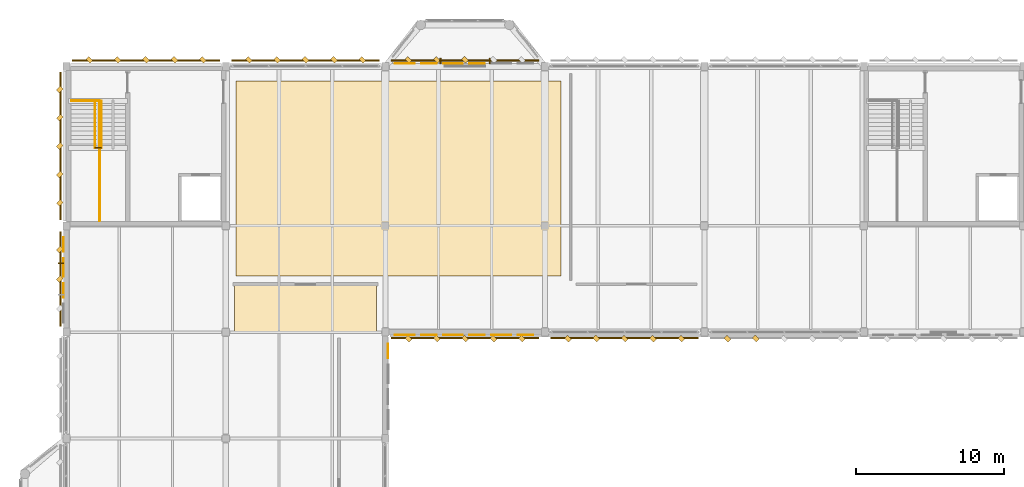
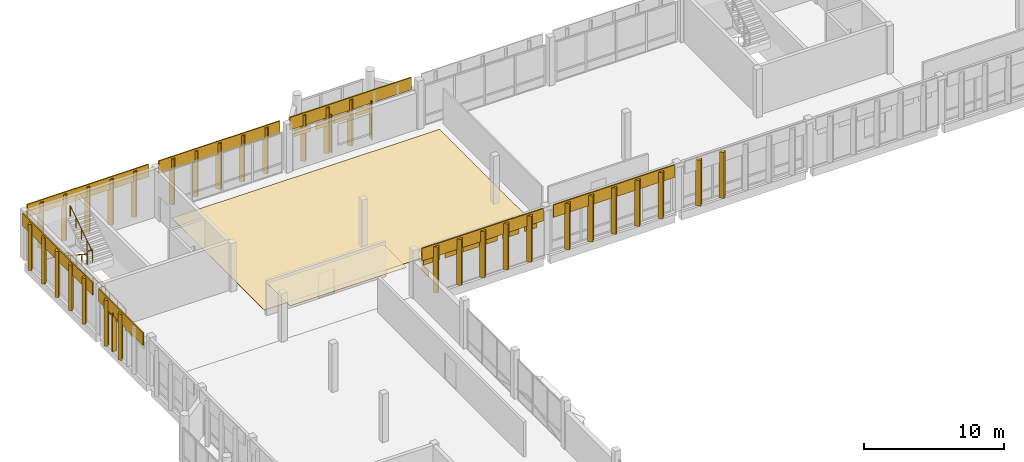
# One storey, part 66 of 72: 58 coverings, 4 railings.
"""IFC4 building model written with IfcOpenShell, lengths in metres."""

from ifc_helpers import new_model, si_unit, direction, frame, origin, origin_2d, place, context, subcontext, project, spatial, polyline, rectangle, circle, outline, extrude, material, layer, layer_set, type_object, element, save


model = new_model("IFC4")

# Units and contexts
model_context = context("Model", 3, precision=1e-05, world=origin(), true_north=direction((0.0, 1.0)))
body_context = subcontext(model_context, "Body", "Model", "MODEL_VIEW")
ifc_project = project(units=[si_unit("LENGTHUNIT", "METRE"), si_unit("AREAUNIT", "SQUARE_METRE"), si_unit("VOLUMEUNIT", "CUBIC_METRE"), si_unit("PLANEANGLEUNIT", "RADIAN"), si_unit("MASSUNIT", "GRAM", prefix="KILO")], contexts=[model_context])

# Site, building, storey
site_placement = place(None, origin())
site = spatial("IfcSite", under=ifc_project, at=site_placement, CompositionType="ELEMENT")
building_placement = place(site_placement, origin())
building = spatial("IfcBuilding", under=site, at=building_placement, Name="Lusvemor Sports Hall", CompositionType="ELEMENT")
storey_placement = place(building_placement, frame((0.0, 0.0, 15.0)))
storey = spatial("IfcBuildingStorey", under=building, at=storey_placement, Name="L03", CompositionType="ELEMENT", Elevation=15.0)

# Coverings
ifc_material_1 = material(Name="Emerald polychrome glazed ceramic cladding on Concrete C40/50 backing", Category="concrete")
ifc_layer_1 = layer(ifc_material_1, 0.0458984375)
ifc_layer_set_1 = layer_set([ifc_layer_1], Name="Emerald polychrome glazed ceramic cladding on Concrete C40/50 backing")
covering_type_1 = type_object("IfcCoveringType", Name="CLAD_WAVE_EMERALD", PredefinedType="CLADDING", material=ifc_layer_set_1)
covering_1_placement = place(storey_placement, frame((-0.197998046875, 101.574951171875, 2.69482421875), z_axis=(0.0, 0.0, 1.0), x_axis=(1.0, 0.0, 0.0)))
element("IfcCovering", 1, at=covering_1_placement, inside=storey, type_object=covering_type_1, Name="Art Nouveau Patterned Cladding PS-EW-L03-W-0-6-3", PredefinedType="CLADDING", context=body_context, shape_type="SweptSolid", body=[
    extrude(rectangle(XDim=0.0458984375, YDim=1.27099609375, at=origin_2d()), origin(), (0.0, 0.0, 1.0), 0.510009765625),
])
for number, where, z_axis, x_axis, name in (
    (2, (22.916748046875, 115.39794921875, 2.60498046875), (0.0, 0.0, 1.0), (1.0, 0.0, 0.0), "Art Nouveau Patterned Cladding PS-EW-L03-N-1-2-1"),
    (3, (26.183349609375, 115.39794921875, 2.60498046875), (0.0, 0.0, 1.0), (1.0, 0.0, 0.0), "Art Nouveau Patterned Cladding PS-EW-L03-N-1-2-3"),
    (4, (22.916748046875, 97.001953125, 2.60498046875), (0.0, 0.0, 1.0), (1.0, 0.0, 0.0), "Art Nouveau Patterned Cladding PS-EW-L03-S-3-0-1"),
    (5, (26.183349609375, 97.001953125, 2.60498046875), (0.0, 0.0, 1.0), (1.0, 0.0, 0.0), "Art Nouveau Patterned Cladding PS-EW-L03-S-3-0-3"),
    (6, (29.449951171875, 97.001953125, 2.60498046875), (0.0, 0.0, 1.0), (1.0, 0.0, 0.0), "Art Nouveau Patterned Cladding PS-EW-L03-S-3-0-5"),
):
    element("IfcCovering", number, at=place(storey_placement, frame(where, z_axis=z_axis, x_axis=x_axis)), inside=storey, type_object=covering_type_1, Name=name, PredefinedType="CLADDING", context=body_context, shape_type="SweptSolid", body=[
        extrude(rectangle(XDim=1.33935546875, YDim=0.0458984375, at=origin_2d()), origin(), (0.0, 0.0, 1.0), 0.510009765625),
    ])
for number, where, z_axis, x_axis, name in (
    (7, (3.47998046875, 115.639892578125, 0.10009765625), (0.0, 0.0, 1.0), (0.707106781187, 0.707106781187, 0.0), "Patterned Diamond Cladding Rib 516"),
    (8, (7.320068359375, 115.639892578125, 0.10009765625), (0.0, 0.0, 1.0), (0.707106781187, 0.707106781187, 0.0), "Patterned Diamond Cladding Rib 518"),
    (9, (14.280029296875, 115.639892578125, 0.10009765625), (0.0, 0.0, 1.0), (0.707106781187, 0.707106781187, 0.0), "Patterned Diamond Cladding Rib 546"),
    (10, (18.1201171875, 115.639892578125, 0.10009765625), (0.0, 0.0, 1.0), (0.707106781187, 0.707106781187, 0.0), "Patterned Diamond Cladding Rib 548"),
    (11, (25.080078125, 115.639892578125, 0.10009765625), (0.0, 0.0, 1.0), (0.707106781187, 0.707106781187, 0.0), "Patterned Diamond Cladding Rib 576"),
):
    element("IfcCovering", number, at=place(storey_placement, frame(where, z_axis=z_axis, x_axis=x_axis)), inside=storey, type_object=covering_type_1, Name=name, PredefinedType="CLADDING", context=body_context, shape_type="SweptSolid", body=[
        extrude(rectangle(XDim=0.280029296875, YDim=0.3798828125, at=origin_2d()), origin(), (0.0, 0.0, 1.0), 4.0),
    ])
for number, where, z_axis, x_axis, name in (
    (12, (-0.43994140625, 100.800048828125, 0.10009765625), (0.0, 0.0, 1.0), (0.707106781187, 0.707106781187, 0.0), "Patterned Diamond Cladding Rib 1114"),
    (13, (-0.43994140625, 107.8798828125, 0.10009765625), (0.0, 0.0, 1.0), (0.707106781187, 0.707106781187, 0.0), "Patterned Diamond Cladding Rib 1140"),
    (14, (-0.43994140625, 111.719970703125, 0.10009765625), (0.0, 0.0, 1.0), (0.707106781187, 0.707106781187, 0.0), "Patterned Diamond Cladding Rib 1142"),
):
    element("IfcCovering", number, at=place(storey_placement, frame(where, z_axis=z_axis, x_axis=x_axis)), inside=storey, type_object=covering_type_1, Name=name, PredefinedType="CLADDING", context=body_context, shape_type="SweptSolid", body=[
        extrude(rectangle(XDim=0.3798828125, YDim=0.280029296875, at=origin_2d()), origin(), (0.0, 0.0, 1.0), 4.0),
    ])
for number, where, z_axis, x_axis, name in (
    (15, (25.080078125, 96.760009765625, 0.10009765625), (0.0, 0.0, 1.0), (0.707106781187, 0.707106781187, 0.0), "Patterned Diamond Cladding Rib 1182"),
    (16, (28.919921875, 96.760009765625, 0.10009765625), (0.0, 0.0, 1.0), (0.707106781187, 0.707106781187, 0.0), "Patterned Diamond Cladding Rib 1184"),
    (17, (35.8798828125, 96.760009765625, 0.10009765625), (0.0, 0.0, 1.0), (0.707106781187, 0.707106781187, 0.0), "Patterned Diamond Cladding Rib 1206"),
    (18, (39.719970703125, 96.760009765625, 0.10009765625), (0.0, 0.0, 1.0), (0.707106781187, 0.707106781187, 0.0), "Patterned Diamond Cladding Rib 1208"),
    (19, (46.679931640625, 96.760009765625, 0.10009765625), (0.0, 0.0, 1.0), (0.707106781187, 0.707106781187, 0.0), "Patterned Diamond Cladding Rib 1230"),
):
    element("IfcCovering", number, at=place(storey_placement, frame(where, z_axis=z_axis, x_axis=x_axis)), inside=storey, type_object=covering_type_1, Name=name, PredefinedType="CLADDING", context=body_context, shape_type="SweptSolid", body=[
        extrude(rectangle(XDim=0.280029296875, YDim=0.3798828125, at=origin_2d()), origin(), (0.0, 0.0, 1.0), 4.0),
    ])
ifc_material_2 = material(Name="Warm terracotta Art Nouveau ceramic cladding on Concrete C40/50 backing", Category="masonry")
ifc_layer_2 = layer(ifc_material_2, 0.0380859375)
ifc_layer_set_2 = layer_set([ifc_layer_2], Name="Warm terracotta Art Nouveau ceramic cladding on Concrete C40/50 backing")
covering_type_2 = type_object("IfcCoveringType", Name="CLAD_WAVE_OCHRE", PredefinedType="CLADDING", material=ifc_layer_set_2)
for number, where, z_axis, x_axis, name in (
    (20, (-0.194091796875, 100.02490234375, 2.69482421875), (0.0, 0.0, 1.0), (1.0, 0.0, 0.0), "Art Nouveau Patterned Cladding PS-EW-L03-W-0-6-2"),
    (21, (-0.194091796875, 103.125, 2.69482421875), (0.0, 0.0, 1.0), (1.0, 0.0, 0.0), "Art Nouveau Patterned Cladding PS-EW-L03-W-0-6-4"),
):
    element("IfcCovering", number, at=place(storey_placement, frame(where, z_axis=z_axis, x_axis=x_axis)), inside=storey, type_object=covering_type_2, Name=name, PredefinedType="CLADDING", context=body_context, shape_type="SweptSolid", body=[
        extrude(rectangle(XDim=0.0380859375, YDim=0.991943359375, at=origin_2d()), origin(), (0.0, 0.0, 1.0), 0.510009765625),
    ])
for number, where, z_axis, x_axis, name in (
    (22, (24.550048828125, 115.39404296875, 2.60498046875), (0.0, 0.0, 1.0), (1.0, 0.0, 0.0), "Art Nouveau Patterned Cladding PS-EW-L03-N-1-2-2"),
    (23, (27.816650390625, 115.39404296875, 2.60498046875), (0.0, 0.0, 1.0), (1.0, 0.0, 0.0), "Art Nouveau Patterned Cladding PS-EW-L03-N-1-2-4"),
    (24, (24.550048828125, 97.006103515625, 2.60498046875), (0.0, 0.0, 1.0), (1.0, 0.0, 0.0), "Art Nouveau Patterned Cladding PS-EW-L03-S-3-0-2"),
    (25, (27.816650390625, 97.006103515625, 2.60498046875), (0.0, 0.0, 1.0), (1.0, 0.0, 0.0), "Art Nouveau Patterned Cladding PS-EW-L03-S-3-0-4"),
    (26, (31.083251953125, 97.006103515625, 2.60498046875), (0.0, 0.0, 1.0), (1.0, 0.0, 0.0), "Art Nouveau Patterned Cladding PS-EW-L03-S-3-0-6"),
):
    element("IfcCovering", number, at=place(storey_placement, frame(where, z_axis=z_axis, x_axis=x_axis)), inside=storey, type_object=covering_type_2, Name=name, PredefinedType="CLADDING", context=body_context, shape_type="SweptSolid", body=[
        extrude(rectangle(XDim=1.04541015625, YDim=0.0380859375, at=origin_2d()), origin(), (0.0, 0.0, 1.0), 0.510009765625),
    ])
covering_2_placement = place(storey_placement, frame((21.7939453125, 95.925048828125, 2.669921875), z_axis=(0.0, 0.0, 1.0), x_axis=(1.0, 0.0, 0.0)))
element("IfcCovering", 27, at=covering_2_placement, inside=storey, type_object=covering_type_2, Name="Art Nouveau Patterned Cladding PS-EW-L03-E-4-5-4", PredefinedType="CLADDING", context=body_context, shape_type="SweptSolid", body=[
    extrude(rectangle(XDim=0.0380859375, YDim=0.991943359375, at=origin_2d()), origin(), (0.0, 0.0, 1.0), 0.510009765625),
])
for number, where, z_axis, x_axis, name in (
    (28, (5.39990234375, 115.590087890625, 3.179931640625), (0.0, 0.0, 1.0), (1.0, 0.0, 0.0), "Art Nouveau Spandrel Cornice 514"),
    (29, (16.199951171875, 115.590087890625, 3.179931640625), (0.0, 0.0, 1.0), (1.0, 0.0, 0.0), "Art Nouveau Spandrel Cornice 544"),
    (30, (27.0, 115.590087890625, 3.179931640625), (0.0, 0.0, 1.0), (1.0, 0.0, 0.0), "Art Nouveau Spandrel Cornice 574"),
):
    element("IfcCovering", number, at=place(storey_placement, frame(where, z_axis=z_axis, x_axis=x_axis)), inside=storey, type_object=covering_type_2, Name=name, PredefinedType="CLADDING", context=body_context, shape_type="SweptSolid", body=[
        extrude(rectangle(XDim=9.97998046875, YDim=0.090087890625, at=origin_2d()), origin(), (0.0, 0.0, 1.0), 1.080078125),
    ])
covering_3_placement = place(storey_placement, frame((-0.389892578125, 100.800048828125, 3.179931640625), z_axis=(0.0, 0.0, 1.0), x_axis=(1.0, 0.0, 0.0)))
element("IfcCovering", 31, at=covering_3_placement, inside=storey, type_object=covering_type_2, Name="Art Nouveau Spandrel Cornice 1112", PredefinedType="CLADDING", context=body_context, shape_type="SweptSolid", body=[
    extrude(rectangle(XDim=0.090087890625, YDim=6.3798828125, at=origin_2d()), origin(), (0.0, 0.0, 1.0), 1.080078125),
])
covering_4_placement = place(storey_placement, frame((-0.389892578125, 109.800048828125, 3.179931640625), z_axis=(0.0, 0.0, 1.0), x_axis=(1.0, 0.0, 0.0)))
element("IfcCovering", 32, at=covering_4_placement, inside=storey, type_object=covering_type_2, Name="Art Nouveau Spandrel Cornice 1138", PredefinedType="CLADDING", context=body_context, shape_type="SweptSolid", body=[
    extrude(rectangle(XDim=0.090087890625, YDim=9.97998046875, at=origin_2d()), origin(), (0.0, 0.0, 1.0), 1.080078125),
])
for number, where, z_axis, x_axis, name in (
    (33, (27.0, 96.81005859375, 3.179931640625), (0.0, 0.0, 1.0), (1.0, 0.0, 0.0), "Art Nouveau Spandrel Cornice 1180"),
    (34, (37.800048828125, 96.81005859375, 3.179931640625), (0.0, 0.0, 1.0), (1.0, 0.0, 0.0), "Art Nouveau Spandrel Cornice 1204"),
):
    element("IfcCovering", number, at=place(storey_placement, frame(where, z_axis=z_axis, x_axis=x_axis)), inside=storey, type_object=covering_type_2, Name=name, PredefinedType="CLADDING", context=body_context, shape_type="SweptSolid", body=[
        extrude(rectangle(XDim=9.97998046875, YDim=0.090087890625, at=origin_2d()), origin(), (0.0, 0.0, 1.0), 1.080078125),
    ])
ifc_material_3 = material(Name="Perforated mineral-fibre acoustic suspended ceiling")
ifc_layer_3 = layer(ifc_material_3, 0.033935546875)
ifc_layer_set_3 = layer_set([ifc_layer_3], Name="Perforated mineral-fibre acoustic suspended ceiling")
covering_type_3 = type_object("IfcCoveringType", Name="COV_CEIL_ACOUST", PredefinedType="CEILING", material=ifc_layer_set_3)
covering_5_placement = place(storey_placement, frame((0.0, 0.0, 2.699951171875)))
element("IfcCovering", 35, at=covering_5_placement, inside=storey, type_object=covering_type_3, Name="Acoustic Ceiling 4", PredefinedType="CEILING", context=body_context, shape_type="SweptSolid", body=[
    extrude(outline(polyline([(11.39990234375, 97.199951171875), (21.0, 97.199951171875), (21.0, 100.449951171875), (11.39990234375, 100.449951171875), (11.39990234375, 97.199951171875)])), origin(), (0.0, 0.0, 1.0), 0.033935546875),
])
ifc_material_4 = material(Name="Slip-resistant porcelain ceramic tile flooring")
ifc_layer_4 = layer(ifc_material_4, 0.030029296875)
ifc_layer_set_4 = layer_set([ifc_layer_4], Name="Slip-resistant porcelain ceramic tile flooring")
covering_type_4 = type_object("IfcCoveringType", Name="COV_TILE_PORC", PredefinedType="FLOORING", material=ifc_layer_set_4)
covering_6_placement = place(storey_placement, origin())
element("IfcCovering", 36, at=covering_6_placement, inside=storey, type_object=covering_type_4, Name="Porcelain Wet-Area Flooring 6", PredefinedType="FLOORING", context=body_context, shape_type="SweptSolid", body=[
    extrude(outline(polyline([(11.5, 101.0), (33.5, 101.0), (33.5, 114.199951171875), (11.5, 114.199951171875), (11.5, 101.0)])), origin(), (0.0, 0.0, 1.0), 0.030029296875),
])
ifc_material_5 = material(Name="Emerald polychrome glazed ceramic cladding on Concrete C40/50 backing", Category="concrete")
ifc_layer_5 = layer(ifc_material_5, 0.35009765625)
ifc_layer_set_5 = layer_set([ifc_layer_5], Name="Emerald polychrome glazed ceramic cladding on Concrete C40/50 backing")
covering_type_5 = type_object("IfcCoveringType", Name="FIN_BRISE_CER_350", PredefinedType="MOLDING", material=ifc_layer_set_5)
covering_7_placement = place(storey_placement, frame((-0.360107421875, 101.860107421875, 0.10009765625), z_axis=(0.0, 0.0, 1.0), x_axis=(1.0, 0.0, 0.0)))
element("IfcCovering", 37, at=covering_7_placement, inside=storey, type_object=covering_type_5, Name="Wing Brise-Soleil Fin L03-W-0-6-2", PredefinedType="MOLDING", context=body_context, shape_type="SweptSolid", body=[
    extrude(rectangle(XDim=0.35009765625, YDim=0.080078125, at=origin_2d()), origin(), (0.0, 0.0, 1.0), 3.320068359375),
])
for number, where, z_axis, x_axis, name in (
    (38, (25.340087890625, 115.56005859375, 0.10009765625), (0.0, 0.0, 1.0), (1.0, 0.0, 0.0), "Wing Brise-Soleil Fin L03-N-1-2-1"),
    (39, (28.659912109375, 115.56005859375, 0.10009765625), (0.0, 0.0, 1.0), (1.0, 0.0, 0.0), "Wing Brise-Soleil Fin L03-N-1-2-2"),
):
    element("IfcCovering", number, at=place(storey_placement, frame(where, z_axis=z_axis, x_axis=x_axis)), inside=storey, type_object=covering_type_5, Name=name, PredefinedType="MOLDING", context=body_context, shape_type="SweptSolid", body=[
        extrude(rectangle(XDim=0.080078125, YDim=0.35009765625, at=origin_2d()), origin(), (0.0, 0.0, 1.0), 3.320068359375),
    ])
ifc_material_6 = material(Name="Warm terracotta Art Nouveau ceramic cladding on Concrete C40/50 backing", Category="masonry")
ifc_layer_6 = layer(ifc_material_6, 0.449951171875)
ifc_layer_set_6 = layer_set([ifc_layer_6], Name="Warm terracotta Art Nouveau ceramic cladding on Concrete C40/50 backing")
covering_type_6 = type_object("IfcCoveringType", Name="FIN_BRISE_CER_450", PredefinedType="MOLDING", material=ifc_layer_set_6)
for number, where, z_axis, x_axis, name in (
    (40, (1.56005859375, 115.639892578125, 0.10009765625), (0.0, 0.0, 1.0), (0.707106781187, 0.707106781187, 0.0), "Patterned Diamond Cladding Rib 515"),
    (41, (5.39990234375, 115.639892578125, 0.10009765625), (0.0, 0.0, 1.0), (0.707106781187, 0.707106781187, 0.0), "Patterned Diamond Cladding Rib 517"),
    (42, (9.239990234375, 115.639892578125, 0.10009765625), (0.0, 0.0, 1.0), (0.707106781187, 0.707106781187, 0.0), "Patterned Diamond Cladding Rib 519"),
    (43, (12.360107421875, 115.639892578125, 0.10009765625), (0.0, 0.0, 1.0), (0.707106781187, 0.707106781187, 0.0), "Patterned Diamond Cladding Rib 545"),
    (44, (16.199951171875, 115.639892578125, 0.10009765625), (0.0, 0.0, 1.0), (0.707106781187, 0.707106781187, 0.0), "Patterned Diamond Cladding Rib 547"),
    (45, (20.0400390625, 115.639892578125, 0.10009765625), (0.0, 0.0, 1.0), (0.707106781187, 0.707106781187, 0.0), "Patterned Diamond Cladding Rib 549"),
    (46, (23.159912109375, 115.639892578125, 0.10009765625), (0.0, 0.0, 1.0), (0.707106781187, 0.707106781187, 0.0), "Patterned Diamond Cladding Rib 575"),
    (47, (27.0, 115.639892578125, 0.10009765625), (0.0, 0.0, 1.0), (0.707106781187, 0.707106781187, 0.0), "Patterned Diamond Cladding Rib 577"),
):
    element("IfcCovering", number, at=place(storey_placement, frame(where, z_axis=z_axis, x_axis=x_axis)), inside=storey, type_object=covering_type_6, Name=name, PredefinedType="MOLDING", context=body_context, shape_type="SweptSolid", body=[
        extrude(rectangle(XDim=0.280029296875, YDim=0.3798828125, at=origin_2d()), origin(), (0.0, 0.0, 1.0), 4.0),
    ])
for number, where, z_axis, x_axis, name in (
    (48, (-0.43994140625, 102.800048828125, 0.10009765625), (0.0, 0.0, 1.0), (0.707106781187, 0.707106781187, 0.0), "Patterned Diamond Cladding Rib 1115"),
    (49, (-0.43994140625, 105.9599609375, 0.10009765625), (0.0, 0.0, 1.0), (0.707106781187, 0.707106781187, 0.0), "Patterned Diamond Cladding Rib 1139"),
    (50, (-0.43994140625, 109.800048828125, 0.10009765625), (0.0, 0.0, 1.0), (0.707106781187, 0.707106781187, 0.0), "Patterned Diamond Cladding Rib 1141"),
    (51, (-0.43994140625, 113.639892578125, 0.10009765625), (0.0, 0.0, 1.0), (0.707106781187, 0.707106781187, 0.0), "Patterned Diamond Cladding Rib 1143"),
):
    element("IfcCovering", number, at=place(storey_placement, frame(where, z_axis=z_axis, x_axis=x_axis)), inside=storey, type_object=covering_type_6, Name=name, PredefinedType="MOLDING", context=body_context, shape_type="SweptSolid", body=[
        extrude(rectangle(XDim=0.3798828125, YDim=0.280029296875, at=origin_2d()), origin(), (0.0, 0.0, 1.0), 4.0),
    ])
for number, where, z_axis, x_axis, name in (
    (52, (23.159912109375, 96.760009765625, 0.10009765625), (0.0, 0.0, 1.0), (0.707106781187, 0.707106781187, 0.0), "Patterned Diamond Cladding Rib 1181"),
    (53, (27.0, 96.760009765625, 0.10009765625), (0.0, 0.0, 1.0), (0.707106781187, 0.707106781187, 0.0), "Patterned Diamond Cladding Rib 1183"),
    (54, (30.840087890625, 96.760009765625, 0.10009765625), (0.0, 0.0, 1.0), (0.707106781187, 0.707106781187, 0.0), "Patterned Diamond Cladding Rib 1185"),
    (55, (33.9599609375, 96.760009765625, 0.10009765625), (0.0, 0.0, 1.0), (0.707106781187, 0.707106781187, 0.0), "Patterned Diamond Cladding Rib 1205"),
    (56, (37.800048828125, 96.760009765625, 0.10009765625), (0.0, 0.0, 1.0), (0.707106781187, 0.707106781187, 0.0), "Patterned Diamond Cladding Rib 1207"),
    (57, (41.639892578125, 96.760009765625, 0.10009765625), (0.0, 0.0, 1.0), (0.707106781187, 0.707106781187, 0.0), "Patterned Diamond Cladding Rib 1209"),
    (58, (44.760009765625, 96.760009765625, 0.10009765625), (0.0, 0.0, 1.0), (0.707106781187, 0.707106781187, 0.0), "Patterned Diamond Cladding Rib 1229"),
):
    element("IfcCovering", number, at=place(storey_placement, frame(where, z_axis=z_axis, x_axis=x_axis)), inside=storey, type_object=covering_type_6, Name=name, PredefinedType="MOLDING", context=body_context, shape_type="SweptSolid", body=[
        extrude(rectangle(XDim=0.280029296875, YDim=0.3798828125, at=origin_2d()), origin(), (0.0, 0.0, 1.0), 4.0),
    ])

# Railings
ifc_material_7 = material(Name="Bronze-finished wrought-steel Art Nouveau balustrade", Category="steel")
railing_type_1 = type_object("IfcRailingType", Name="RAIL_HANDRAIL_092", PredefinedType="HANDRAIL", material=ifc_material_7)
railing_1_placement = place(storey_placement, frame((1.93994140625, 112.85009765625, 0.0)))
element("IfcRailing", 59, at=railing_1_placement, inside=storey, type_object=railing_type_1, Name="Stair STR-C1-L03 Handrail F1", PredefinedType="HANDRAIL", context=body_context, shape_type="SweptSolid", body=[
    extrude(circle(Radius=0.02392578125, at=origin_2d()), frame((0.0, 0.0, 0.89599609375), z_axis=(0.0, -0.835261802243, 0.549852454495), x_axis=(1.0, 0.0, 0.0)), (0.0, 0.0, 1.0), 3.8193359375),
    extrude(circle(Radius=0.02099609375, at=origin_2d()), origin(), (0.0, 0.0, 1.0), 0.871826171875),
    extrude(circle(Radius=0.02099609375, at=origin_2d()), frame((0.0, -0.797607421875, 0.52490234375)), (0.0, 0.0, 1.0), 0.871826171875),
    extrude(circle(Radius=0.02099609375, at=origin_2d()), frame((0.0, -1.59521484375, 1.050048828125)), (0.0, 0.0, 1.0), 0.871826171875),
    extrude(circle(Radius=0.02099609375, at=origin_2d()), frame((0.0, -2.392578125, 1.5751953125)), (0.0, 0.0, 1.0), 0.871826171875),
    extrude(circle(Radius=0.02099609375, at=origin_2d()), frame((0.0, -3.190185546875, 2.10009765625)), (0.0, 0.0, 1.0), 0.871826171875),
])
railing_2_placement = place(storey_placement, frame((2.3798828125, 109.659912109375, 2.10009765625)))
element("IfcRailing", 60, at=railing_2_placement, inside=storey, type_object=railing_type_1, Name="Stair STR-C1-L03 Handrail F2", PredefinedType="HANDRAIL", context=body_context, shape_type="SweptSolid", body=[
    extrude(circle(Radius=0.02392578125, at=origin_2d()), frame((0.0, 0.0, 0.89599609375), z_axis=(0.0, 0.835291159344, 0.549807856548), x_axis=(-1.0, 0.0, 0.0)), (0.0, 0.0, 1.0), 3.8193359375),
    extrude(circle(Radius=0.02099609375, at=origin_2d()), origin(), (0.0, 0.0, 1.0), 0.871826171875),
    extrude(circle(Radius=0.02099609375, at=origin_2d()), frame((0.0, 0.797607421875, 0.52490234375)), (0.0, 0.0, 1.0), 0.871826171875),
    extrude(circle(Radius=0.02099609375, at=origin_2d()), frame((0.0, 1.59521484375, 1.0498046875)), (0.0, 0.0, 1.0), 0.871826171875),
    extrude(circle(Radius=0.02099609375, at=origin_2d()), frame((0.0, 2.392578125, 1.574951171875)), (0.0, 0.0, 1.0), 0.871826171875),
    extrude(circle(Radius=0.02099609375, at=origin_2d()), frame((0.0, 3.190185546875, 2.099853515625)), (0.0, 0.0, 1.0), 0.871826171875),
])
ifc_material_8 = material(Name="Bronze-finished wrought-steel Art Nouveau balustrade", Category="steel")
railing_type_2 = type_object("IfcRailingType", Name="RAIL_STAIR_GUARD_112", PredefinedType="GUARDRAIL", material=ifc_material_8)
railing_3_placement = place(storey_placement, frame((0.340087890625, 112.8701171875, 0.0)))
element("IfcRailing", 61, at=railing_3_placement, inside=storey, type_object=railing_type_2, Name="Stairwell C1 Top Guard (L03)", PredefinedType="GUARDRAIL", context=body_context, shape_type="SweptSolid", body=[
    extrude(circle(Radius=0.02392578125, at=origin_2d()), frame((0.0, 0.0, 1.09619140625), z_axis=(1.0, 0.0, 0.0), x_axis=(0.0, 1.0, 0.0)), (0.0, 0.0, 1.0), 1.919921875),
    extrude(circle(Radius=0.02392578125, at=origin_2d()), frame((1.919921875, 0.0, 1.09619140625), z_axis=(0.0, -1.0, 0.0), x_axis=(1.0, 0.0, 0.0)), (0.0, 0.0, 1.0), 8.130126953125),
    extrude(circle(Radius=0.02099609375, at=origin_2d()), origin(), (0.0, 0.0, 1.0), 1.072021484375),
    extrude(circle(Radius=0.02099609375, at=origin_2d()), frame((0.9599609375, 0.0, 0.0)), (0.0, 0.0, 1.0), 1.072021484375),
    extrude(circle(Radius=0.02099609375, at=origin_2d()), frame((1.919921875, 0.0, 0.0)), (0.0, 0.0, 1.0), 1.072021484375),
    extrude(circle(Radius=0.02099609375, at=origin_2d()), frame((1.919921875, -1.161376953125, 0.0)), (0.0, 0.0, 1.0), 1.072021484375),
    extrude(circle(Radius=0.02099609375, at=origin_2d()), frame((1.919921875, -2.322998046875, 0.0)), (0.0, 0.0, 1.0), 1.072021484375),
    extrude(circle(Radius=0.02099609375, at=origin_2d()), frame((1.919921875, -3.484375, 0.0)), (0.0, 0.0, 1.0), 1.072021484375),
    extrude(circle(Radius=0.02099609375, at=origin_2d()), frame((1.919921875, -4.645751953125, 0.0)), (0.0, 0.0, 1.0), 1.072021484375),
    extrude(circle(Radius=0.02099609375, at=origin_2d()), frame((1.919921875, -5.80712890625, 0.0)), (0.0, 0.0, 1.0), 1.072021484375),
    extrude(circle(Radius=0.02099609375, at=origin_2d()), frame((1.919921875, -6.96875, 0.0)), (0.0, 0.0, 1.0), 1.072021484375),
    extrude(circle(Radius=0.02099609375, at=origin_2d()), frame((1.919921875, -8.130126953125, 0.0)), (0.0, 0.0, 1.0), 1.072021484375),
])
railing_4_placement = place(storey_placement, frame((1.93994140625, 109.679931640625, 2.10009765625)))
element("IfcRailing", 62, at=railing_4_placement, inside=storey, type_object=railing_type_2, Name="Stair STR-C1-L03 Mid Well Guard", PredefinedType="GUARDRAIL", context=body_context, shape_type="SweptSolid", body=[
    extrude(circle(Radius=0.02392578125, at=origin_2d()), frame((0.0, 0.0, 1.09619140625), z_axis=(1.0, 0.0, 0.0), x_axis=(0.0, 1.0, 0.0)), (0.0, 0.0, 1.0), 0.43994140625),
    extrude(circle(Radius=0.02099609375, at=origin_2d()), origin(), (0.0, 0.0, 1.0), 1.072021484375),
    extrude(circle(Radius=0.02099609375, at=origin_2d()), frame((0.43994140625, 0.0, 0.0)), (0.0, 0.0, 1.0), 1.072021484375),
])

save(model, "model.ifc")
